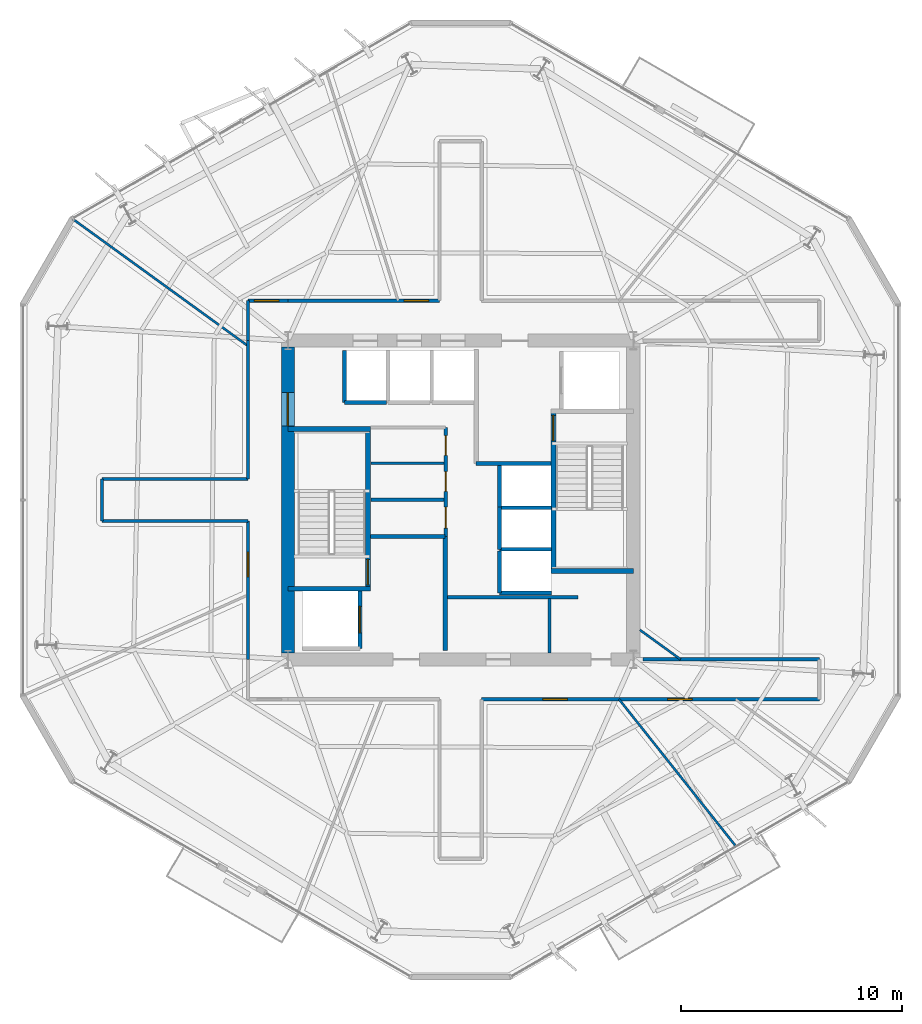
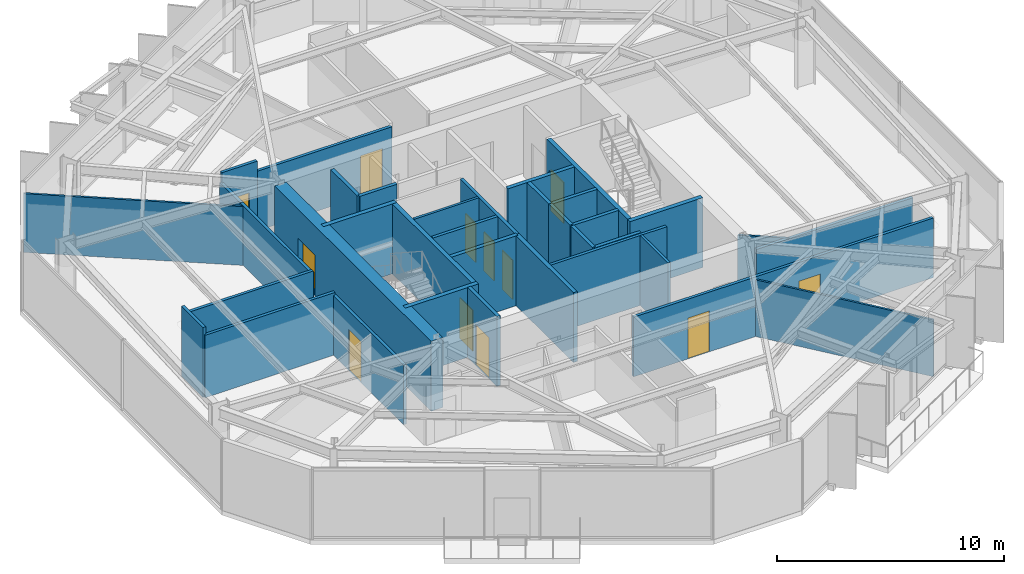
# One storey, part 7 of 11: 36 walls, 12 doors, 12 openings.
"""IFC4 building model written with IfcOpenShell, lengths in metres."""

from ifc_helpers import new_model, si_unit, direction, frame, frame_2d, origin, place, context, subcontext, project, spatial, rectangle, extrude, material, layer, layer_set, type_object, element, fill, save


model = new_model("IFC4")

# Units and contexts
model_context = context("Model", 3, precision=1e-05, world=origin(), true_north=direction((0.0, 1.0)))
body_context = subcontext(model_context, "Body", "Model", "MODEL_VIEW")
ifc_project = project(units=[si_unit("LENGTHUNIT", "METRE"), si_unit("AREAUNIT", "SQUARE_METRE"), si_unit("VOLUMEUNIT", "CUBIC_METRE"), si_unit("PLANEANGLEUNIT", "RADIAN"), si_unit("MASSUNIT", "GRAM", prefix="KILO")], contexts=[model_context])

# Site, building, storey
site_placement = place(None, origin())
site = spatial("IfcSite", under=ifc_project, at=site_placement, CompositionType="ELEMENT")
building_placement = place(site_placement, origin())
building = spatial("IfcBuilding", under=site, at=building_placement, Name="Kranzbogen Civic Tower", CompositionType="ELEMENT")
storey_placement = place(building_placement, frame((0.0, 0.0, 142.39990234375)))
storey = spatial("IfcBuildingStorey", under=building, at=storey_placement, Name="L34", CompositionType="ELEMENT", Elevation=142.39990234375)

# Wall
ifc_material_1 = material(Name="Double-Stud Acoustic Gypsum Partition")
ifc_layer_1 = layer(ifc_material_1, 0.14990234375, Name="Double-Stud Acoustic Gypsum Partition")
ifc_layer_set_1 = layer_set([ifc_layer_1], Name="Double-Stud Acoustic Gypsum Partition")
wall_type_1 = type_object("IfcWallType", Name="Acoustic Corridor and Clinical Partition 150 mm", PredefinedType="PARTITIONING", material=ifc_layer_set_1)
wall_1_placement = place(storey_placement, frame((24.39990234375, 20.610107421875, 0.0), z_axis=(0.0, 0.0, 1.0), x_axis=(1.0, 0.0, 0.0)))
element("IfcWall", 1, at=wall_1_placement, inside=storey, type_object=wall_type_1, Name="L34 records zone North wall", PredefinedType="PARTITIONING", context=body_context, shape_type="SweptSolid", body=[
    extrude(rectangle(XDim=5.900146484375, YDim=0.14990234375, at=frame_2d((2.9501953125, 0.0))), origin(), (0.0, 0.0, 1.0), 3.760009765625),
])

# Wall, opening, door
wall_2_placement = place(storey_placement, frame((15.39990234375, 17.800048828125, 0.0), z_axis=(0.0, 0.0, 1.0), x_axis=(0.0, 1.0, 0.0)))
wall_2 = element("IfcWall", 2, at=wall_2_placement, inside=storey, type_object=wall_type_1, Name="L34 corridor partition 03", PredefinedType="PARTITIONING", context=body_context, shape_type="SweptSolid", body=[
    extrude(rectangle(XDim=6.25, YDim=0.14990234375, at=frame_2d((3.125, 0.0))), origin(), (0.0, 0.0, 1.0), 3.210205078125),
])
opening_1_placement = place(wall_2_placement, frame((3.743896484375, 0.0, 0.0)))
opening_1 = element("IfcOpeningElement", 3, at=opening_1_placement, cuts=wall_2, Name="Opening D-COR60", PredefinedType="OPENING", context=body_context, shape_type="SweptSolid", body=[
    extrude(rectangle(XDim=1.10009765625, YDim=2.199951171875, at=frame_2d((0.550048828125, 1.10009765625))), frame((0.0, 0.0849609375, 0.0), z_axis=(0.0, -1.0, 0.0), x_axis=(1.0, 0.0, 0.0)), (0.0, 0.0, 1.0), 0.169921875),
])
ifc_material_2 = material(Name="Oak Timber and Fire Core", Category="wood")
door_type_1 = type_object("IfcDoorType", Name="Corridor Acoustic Fire Door 1100x2200", OperationType="NOTDEFINED", PredefinedType="DOOR", material=ifc_material_2)
door_1_placement = place(opening_1_placement, origin())
door_1 = element("IfcDoor", 4, at=door_1_placement, inside=storey, type_object=door_type_1, Name="L34 Ministerial Policy Office door", OperationType="SINGLE_SWING_RIGHT", OverallHeight=2.199951171875, OverallWidth=1.10009765625, PredefinedType="DOOR", context=body_context, shape_type="SweptSolid", body=[
    extrude(rectangle(XDim=1.10009765625, YDim=2.199951171875, at=frame_2d((0.550048828125, 1.10009765625))), frame((0.0, 0.02490234375, 0.0), z_axis=(0.0, -1.0, 0.0), x_axis=(1.0, 0.0, 0.0)), (0.0, 0.0, 1.0), 0.050048828125),
])
fill(opening_1, door_1)

# Walls
wall_3_placement = place(storey_placement, frame((15.39990234375, 24.050048828125, 0.0), z_axis=(0.0, 0.0, 1.0), x_axis=(-1.0, 0.0, 0.0)))
element("IfcWall", 5, at=wall_3_placement, inside=storey, type_object=wall_type_1, Name="L34 corridor partition 04", PredefinedType="PARTITIONING", context=body_context, shape_type="SweptSolid", body=[
    extrude(rectangle(XDim=6.599853515625, YDim=0.14990234375, at=frame_2d((3.2998046875, 0.0))), origin(), (0.0, 0.0, 1.0), 3.360107421875),
])
wall_4_placement = place(storey_placement, frame((8.800048828125, 24.050048828125, 0.0), z_axis=(0.0, 0.0, 1.0), x_axis=(0.0, 1.0, 0.0)))
element("IfcWall", 6, at=wall_4_placement, inside=storey, type_object=wall_type_1, Name="L34 corridor partition 05", PredefinedType="PARTITIONING", context=body_context, shape_type="SweptSolid", body=[
    extrude(rectangle(XDim=1.89990234375, YDim=0.14990234375, at=frame_2d((0.949951171875, 0.0))), origin(), (0.0, 0.0, 1.0), 3.760009765625),
])
wall_5_placement = place(storey_placement, frame((8.800048828125, 25.949951171875, 0.0), z_axis=(0.0, 0.0, 1.0), x_axis=(1.0, 0.0, 0.0)))
element("IfcWall", 7, at=wall_5_placement, inside=storey, type_object=wall_type_1, Name="L34 corridor partition 06", PredefinedType="PARTITIONING", context=body_context, shape_type="SweptSolid", body=[
    extrude(rectangle(XDim=6.599853515625, YDim=0.14990234375, at=frame_2d((3.2998046875, 0.0))), origin(), (0.0, 0.0, 1.0), 3.360107421875),
])
wall_6_placement = place(storey_placement, frame((15.39990234375, 25.949951171875, 0.0), z_axis=(0.0, 0.0, 1.0), x_axis=(0.0, 1.0, 0.0)))
element("IfcWall", 8, at=wall_6_placement, inside=storey, type_object=wall_type_1, Name="L34 corridor partition 07", PredefinedType="PARTITIONING", context=body_context, shape_type="SweptSolid", body=[
    extrude(rectangle(XDim=6.25, YDim=0.14990234375, at=frame_2d((3.125, 0.0))), origin(), (0.0, 0.0, 1.0), 3.210205078125),
])
wall_7_placement = place(storey_placement, frame((15.39990234375, 32.199951171875, 0.0), z_axis=(0.0, 0.0, 1.0), x_axis=(0.0, 1.0, 0.0)))
element("IfcWall", 9, at=wall_7_placement, inside=storey, type_object=wall_type_1, Name="L34 corridor partition 08", PredefinedType="PARTITIONING", context=body_context, shape_type="SweptSolid", body=[
    extrude(rectangle(XDim=1.800048828125, YDim=0.14990234375, at=frame_2d((0.89990234375, 0.0))), origin(), (0.0, 0.0, 1.0), 3.210205078125),
])

# Wall, opening, door
wall_8_placement = place(storey_placement, frame((15.39990234375, 34.0, 0.0), z_axis=(0.0, 0.0, 1.0), x_axis=(1.0, 0.0, 0.0)))
wall_8 = element("IfcWall", 10, at=wall_8_placement, inside=storey, type_object=wall_type_1, Name="L34 corridor partition 09", PredefinedType="PARTITIONING", context=body_context, shape_type="SweptSolid", body=[
    extrude(rectangle(XDim=1.800048828125, YDim=0.14990234375, at=frame_2d((0.89990234375, 0.0))), origin(), (0.0, 0.0, 1.0), 3.760009765625),
])
opening_2_placement = place(wall_8_placement, frame((0.287109375, 0.0, 0.0)))
opening_2 = element("IfcOpeningElement", 11, at=opening_2_placement, cuts=wall_8, Name="Opening D-COR60", PredefinedType="OPENING", context=body_context, shape_type="SweptSolid", body=[
    extrude(rectangle(XDim=1.10009765625, YDim=2.199951171875, at=frame_2d((0.550048828125, 1.10009765625))), frame((0.0, 0.0849609375, 0.0), z_axis=(0.0, -1.0, 0.0), x_axis=(1.0, 0.0, 0.0)), (0.0, 0.0, 1.0), 0.169921875),
])
door_2_placement = place(opening_2_placement, origin())
door_2 = element("IfcDoor", 12, at=door_2_placement, inside=storey, type_object=door_type_1, Name="L34 Duty Crew Control Room door", OperationType="SINGLE_SWING_LEFT", OverallHeight=2.199951171875, OverallWidth=1.10009765625, PredefinedType="DOOR", context=body_context, shape_type="SweptSolid", body=[
    extrude(rectangle(XDim=1.10009765625, YDim=2.199951171875, at=frame_2d((0.550048828125, 1.10009765625))), frame((0.0, 0.02490234375, 0.0), z_axis=(0.0, -1.0, 0.0), x_axis=(1.0, 0.0, 0.0)), (0.0, 0.0, 1.0), 0.050048828125),
])
fill(opening_2, door_2)

wall_9_placement = place(storey_placement, frame((17.199951171875, 34.0, 0.0), z_axis=(0.0, 0.0, 1.0), x_axis=(1.0, 0.0, 0.0)))
wall_9 = element("IfcWall", 13, at=wall_9_placement, inside=storey, type_object=wall_type_1, Name="L34 corridor partition 10", PredefinedType="PARTITIONING", context=body_context, shape_type="SweptSolid", body=[
    extrude(rectangle(XDim=6.85009765625, YDim=0.14990234375, at=frame_2d((3.425048828125, 0.0))), origin(), (0.0, 0.0, 1.0), 3.210205078125),
])
opening_3_placement = place(wall_9_placement, frame((5.2548828125, 0.0, 0.0)))
opening_3 = element("IfcOpeningElement", 14, at=opening_3_placement, cuts=wall_9, Name="Opening D-COR60", PredefinedType="OPENING", context=body_context, shape_type="SweptSolid", body=[
    extrude(rectangle(XDim=1.10009765625, YDim=2.199951171875, at=frame_2d((0.550048828125, 1.10009765625))), frame((0.0, 0.0849609375, 0.0), z_axis=(0.0, -1.0, 0.0), x_axis=(1.0, 0.0, 0.0)), (0.0, 0.0, 1.0), 0.169921875),
])
door_3_placement = place(opening_3_placement, origin())
door_3 = element("IfcDoor", 15, at=door_3_placement, inside=storey, type_object=door_type_1, Name="L34 Central Mail Post Room door", OperationType="SINGLE_SWING_RIGHT", OverallHeight=2.199951171875, OverallWidth=1.10009765625, PredefinedType="DOOR", context=body_context, shape_type="SweptSolid", body=[
    extrude(rectangle(XDim=1.10009765625, YDim=2.199951171875, at=frame_2d((0.550048828125, 1.10009765625))), frame((0.0, 0.02490234375, 0.0), z_axis=(0.0, -1.0, 0.0), x_axis=(1.0, 0.0, 0.0)), (0.0, 0.0, 1.0), 0.050048828125),
])
fill(opening_3, door_3)

# Wall
wall_10_placement = place(storey_placement, frame((33.2470703125, 17.800048828125, 0.0), z_axis=(0.0, 0.0, 1.0), x_axis=(1.0, 0.0, 0.0)))
element("IfcWall", 16, at=wall_10_placement, inside=storey, type_object=wall_type_1, Name="L34 corridor partition 17", PredefinedType="PARTITIONING", context=body_context, shape_type="SweptSolid", body=[
    extrude(rectangle(XDim=7.952880859375, YDim=0.14990234375, at=frame_2d((3.9765625, 0.0))), origin(), (0.0, 0.0, 1.0), 3.210205078125),
])

# Wall, openings, doors
wall_11_placement = place(storey_placement, frame((41.199951171875, 16.0, 0.0), z_axis=(0.0, 0.0, 1.0), x_axis=(-1.0, 0.0, 0.0)))
wall_11 = element("IfcWall", 17, at=wall_11_placement, inside=storey, type_object=wall_type_1, Name="L34 corridor partition 19", PredefinedType="PARTITIONING", context=body_context, shape_type="SweptSolid", body=[
    extrude(rectangle(XDim=15.25, YDim=0.14990234375, at=frame_2d((7.625, 0.0))), origin(), (0.0, 0.0, 1.0), 3.210205078125),
])
opening_4_placement = place(wall_11_placement, frame((11.3798828125, 0.0, 0.0)))
opening_4 = element("IfcOpeningElement", 18, at=opening_4_placement, cuts=wall_11, Name="Opening D-COR60", PredefinedType="OPENING", context=body_context, shape_type="SweptSolid", body=[
    extrude(rectangle(XDim=1.10009765625, YDim=2.199951171875, at=frame_2d((0.550048828125, 1.10009765625))), frame((0.0, 0.0849609375, 0.0), z_axis=(0.0, -1.0, 0.0), x_axis=(1.0, 0.0, 0.0)), (0.0, 0.0, 1.0), 0.169921875),
])
opening_5_placement = place(wall_11_placement, frame((5.7470703125, 0.0, 0.0)))
opening_5 = element("IfcOpeningElement", 19, at=opening_5_placement, cuts=wall_11, Name="Opening D-COR60", PredefinedType="OPENING", context=body_context, shape_type="SweptSolid", body=[
    extrude(rectangle(XDim=1.10009765625, YDim=2.199951171875, at=frame_2d((0.550048828125, 1.10009765625))), frame((0.0, 0.0849609375, 0.0), z_axis=(0.0, -1.0, 0.0), x_axis=(1.0, 0.0, 0.0)), (0.0, 0.0, 1.0), 0.169921875),
])
door_4_placement = place(opening_4_placement, origin())
door_4 = element("IfcDoor", 20, at=door_4_placement, inside=storey, type_object=door_type_1, Name="L34 Parliamentary Review Boardroom door", OperationType="SINGLE_SWING_LEFT", OverallHeight=2.199951171875, OverallWidth=1.10009765625, PredefinedType="DOOR", context=body_context, shape_type="SweptSolid", body=[
    extrude(rectangle(XDim=1.10009765625, YDim=2.199951171875, at=frame_2d((0.550048828125, 1.10009765625))), frame((0.0, 0.02490234375, 0.0), z_axis=(0.0, -1.0, 0.0), x_axis=(1.0, 0.0, 0.0)), (0.0, 0.0, 1.0), 0.050048828125),
])
fill(opening_4, door_4)
door_5_placement = place(opening_5_placement, origin())
door_5 = element("IfcDoor", 21, at=door_5_placement, inside=storey, type_object=door_type_1, Name="L34 Policy Seminar Room door", OperationType="SINGLE_SWING_RIGHT", OverallHeight=2.199951171875, OverallWidth=1.10009765625, PredefinedType="DOOR", context=body_context, shape_type="SweptSolid", body=[
    extrude(rectangle(XDim=1.10009765625, YDim=2.199951171875, at=frame_2d((0.550048828125, 1.10009765625))), frame((0.0, 0.02490234375, 0.0), z_axis=(0.0, -1.0, 0.0), x_axis=(1.0, 0.0, 0.0)), (0.0, 0.0, 1.0), 0.050048828125),
])
fill(opening_5, door_5)

# Walls
ifc_material_3 = material(Name="Insulated Metal-Stud Gypsum Partition")
ifc_layer_2 = layer(ifc_material_3, 0.125, Name="Insulated Metal-Stud Gypsum Partition")
ifc_layer_set_2 = layer_set([ifc_layer_2], Name="Insulated Metal-Stud Gypsum Partition")
wall_type_2 = type_object("IfcWallType", Name="Acoustic Inter-Room Partition 125 mm", PredefinedType="PARTITIONING", material=ifc_layer_set_2)
wall_12_placement = place(storey_placement, frame((29.010009765625, 18.10009765625, 0.0), z_axis=(0.0, 0.0, 1.0), x_axis=(0.0, 1.0, 0.0)))
element("IfcWall", 22, at=wall_12_placement, inside=storey, type_object=wall_type_2, Name="L34 core auxiliary partition 1", PredefinedType="PARTITIONING", context=body_context, shape_type="SweptSolid", body=[
    extrude(rectangle(XDim=2.449951171875, YDim=0.125, at=frame_2d((1.22509765625, 0.0))), origin(), (0.0, 0.0, 1.0), 3.760009765625),
])
wall_13_placement = place(storey_placement, frame((20.949951171875, 26.659912109375, 0.0), z_axis=(0.0, 0.0, 1.0), x_axis=(1.0, 0.0, 0.0)))
element("IfcWall", 23, at=wall_13_placement, inside=storey, type_object=wall_type_2, Name="L34 core auxiliary partition 3", PredefinedType="PARTITIONING", context=body_context, shape_type="SweptSolid", body=[
    extrude(rectangle(XDim=3.300048828125, YDim=0.125, at=frame_2d((1.64990234375, 0.0))), origin(), (0.0, 0.0, 1.0), 3.760009765625),
])

# Wall, opening, door
ifc_material_4 = material(Name="Concrete C55/67", Category="concrete")
ifc_layer_3 = layer(ifc_material_4, 0.60009765625, Name="Concrete C55/67")
ifc_layer_set_3 = layer_set([ifc_layer_3], Name="Concrete C55/67")
wall_type_3 = type_object("IfcWallType", Name="Central Core Shear Wall 600 mm", PredefinedType="SHEAR", material=ifc_layer_set_3)
wall_14_placement = place(storey_placement, frame((17.199951171875, 31.89990234375, 0.0), z_axis=(0.0, 0.0, 1.0), x_axis=(0.0, -1.0, 0.0)))
wall_14 = element("IfcWall", 24, at=wall_14_placement, inside=storey, type_object=wall_type_3, Name="L34 central core West shear wall", PredefinedType="SHEAR", context=body_context, shape_type="SweptSolid", body=[
    extrude(rectangle(XDim=13.7998046875, YDim=0.60009765625, at=frame_2d((6.89990234375, 0.0))), origin(), (0.0, 0.0, 1.0), 3.760009765625),
])
opening_6_placement = place(wall_14_placement, frame((2.050048828125, 0.0, 0.0)))
opening_6 = element("IfcOpeningElement", 25, at=opening_6_placement, cuts=wall_14, Name="Opening D-DBL15", PredefinedType="OPENING", context=body_context, shape_type="SweptSolid", body=[
    extrude(rectangle(XDim=1.5, YDim=2.199951171875, at=frame_2d((0.75, 1.10009765625))), frame((0.0, 0.31005859375, 0.0), z_axis=(0.0, -1.0, 0.0), x_axis=(1.0, 0.0, 0.0)), (0.0, 0.0, 1.0), 0.6201171875),
])
ifc_material_5 = material(Name="Anodised Bronze and Glass", Category="glass")
door_type_2 = type_object("IfcDoorType", Name="Civic Lobby Double Door 1500x2200", OperationType="DOUBLE_DOOR_SINGLE_SWING", PredefinedType="DOOR", material=ifc_material_5)
door_6_placement = place(opening_6_placement, origin())
door_6 = element("IfcDoor", 26, at=door_6_placement, inside=storey, type_object=door_type_2, Name="L34 Central Lift Lobby West concourse door", OperationType="DOUBLE_DOOR_SINGLE_SWING", OverallHeight=2.199951171875, OverallWidth=1.5, PredefinedType="DOOR", context=body_context, shape_type="SweptSolid", body=[
    extrude(rectangle(XDim=1.5, YDim=2.199951171875, at=frame_2d((0.75, 1.10009765625))), frame((0.0, 0.02490234375, 0.0), z_axis=(0.0, -1.0, 0.0), x_axis=(1.0, 0.0, 0.0)), (0.0, 0.0, 1.0), 0.050048828125),
])
fill(opening_6, door_6)

ifc_material_6 = material(Name="Concrete C45/55", Category="concrete")
ifc_layer_4 = layer(ifc_material_6, 0.219970703125, Name="Concrete C45/55")
ifc_layer_set_4 = layer_set([ifc_layer_4], Name="Concrete C45/55")
wall_type_4 = type_object("IfcWallType", Name="Core Internal Stair Structural Wall 220 mm", PredefinedType="SOLIDWALL", material=ifc_layer_set_4)
wall_15_placement = place(storey_placement, frame((20.81005859375, 20.989990234375, 0.0), z_axis=(0.0, 0.0, 1.0), x_axis=(0.0, 1.0, 0.0)))
wall_15 = element("IfcWall", 27, at=wall_15_placement, inside=storey, type_object=wall_type_4, Name="L34 ST-T1 East structural stair wall", PredefinedType="SOLIDWALL", context=body_context, shape_type="SweptSolid", body=[
    extrude(rectangle(XDim=7.219970703125, YDim=0.219970703125, at=frame_2d((3.60986328125, 0.0))), origin(), (0.0, 0.0, 1.0), 3.760009765625),
])
opening_7_placement = place(wall_15_placement, frame((0.179931640625, 0.0, 0.0)))
opening_7 = element("IfcOpeningElement", 28, at=opening_7_placement, cuts=wall_15, Name="Opening D-ST90", PredefinedType="OPENING", context=body_context, shape_type="SweptSolid", body=[
    extrude(rectangle(XDim=1.14990234375, YDim=2.199951171875, at=frame_2d((0.574951171875, 1.10009765625))), frame((0.0, 0.1201171875, 0.0), z_axis=(0.0, -1.0, 0.0), x_axis=(1.0, 0.0, 0.0)), (0.0, 0.0, 1.0), 0.239990234375),
])
ifc_material_7 = material(Name="Steel S355", Category="steel")
door_type_3 = type_object("IfcDoorType", Name="Pressurized Stair and Lobby Fire Door 1150x2200", OperationType="NOTDEFINED", PredefinedType="DOOR", material=ifc_material_7)
door_7_placement = place(opening_7_placement, origin())
door_7 = element("IfcDoor", 29, at=door_7_placement, inside=storey, type_object=door_type_3, Name="L34 Stair ST-T1 fire door", OperationType="SINGLE_SWING_LEFT", OverallHeight=2.199951171875, OverallWidth=1.14990234375, PredefinedType="DOOR", context=body_context, shape_type="SweptSolid", body=[
    extrude(rectangle(XDim=1.14990234375, YDim=2.199951171875, at=frame_2d((0.574951171875, 1.10009765625))), frame((0.0, 0.02490234375, 0.0), z_axis=(0.0, -1.0, 0.0), x_axis=(1.0, 0.0, 0.0)), (0.0, 0.0, 1.0), 0.050048828125),
])
fill(opening_7, door_7)

# Walls
for number, where, z_axis, x_axis, name in (
    (30, (17.199951171875, 20.989990234375, 0.0), (0.0, 0.0, 1.0), (1.0, 0.0, 0.0), "L34 ST-T1 South structural stair wall"),
    (31, (17.199951171875, 28.2099609375, 0.0), (0.0, 0.0, 1.0), (1.0, 0.0, 0.0), "L34 ST-T1 North structural stair wall"),
):
    element("IfcWall", number, at=place(storey_placement, frame(where, z_axis=z_axis, x_axis=x_axis)), inside=storey, type_object=wall_type_4, Name=name, PredefinedType="SOLIDWALL", context=body_context, shape_type="SweptSolid", body=[
        extrude(rectangle(XDim=3.719970703125, YDim=0.219970703125, at=frame_2d((1.85986328125, 0.0))), origin(), (0.0, 0.0, 1.0), 3.760009765625),
    ])

# Wall, opening, door
wall_16_placement = place(storey_placement, frame((29.18994140625, 21.7900390625, 0.0), z_axis=(0.0, 0.0, 1.0), x_axis=(0.0, 1.0, 0.0)))
wall_16 = element("IfcWall", 32, at=wall_16_placement, inside=storey, type_object=wall_type_4, Name="L34 ST-T2 West structural stair wall", PredefinedType="SOLIDWALL", context=body_context, shape_type="SweptSolid", body=[
    extrude(rectangle(XDim=7.219970703125, YDim=0.219970703125, at=frame_2d((3.60986328125, 0.0))), origin(), (0.0, 0.0, 1.0), 3.760009765625),
])
opening_8_placement = place(wall_16_placement, frame((5.8798828125, 0.0, 0.0)))
opening_8 = element("IfcOpeningElement", 33, at=opening_8_placement, cuts=wall_16, Name="Opening D-ST90", PredefinedType="OPENING", context=body_context, shape_type="SweptSolid", body=[
    extrude(rectangle(XDim=1.14990234375, YDim=2.199951171875, at=frame_2d((0.574951171875, 1.10009765625))), frame((0.0, 0.1201171875, 0.0), z_axis=(0.0, -1.0, 0.0), x_axis=(1.0, 0.0, 0.0)), (0.0, 0.0, 1.0), 0.239990234375),
])
door_8_placement = place(opening_8_placement, origin())
door_8 = element("IfcDoor", 34, at=door_8_placement, inside=storey, type_object=door_type_3, Name="L34 Stair ST-T2 fire door", OperationType="SINGLE_SWING_RIGHT", OverallHeight=2.199951171875, OverallWidth=1.14990234375, PredefinedType="DOOR", context=body_context, shape_type="SweptSolid", body=[
    extrude(rectangle(XDim=1.14990234375, YDim=2.199951171875, at=frame_2d((0.574951171875, 1.10009765625))), frame((0.0, 0.02490234375, 0.0), z_axis=(0.0, -1.0, 0.0), x_axis=(1.0, 0.0, 0.0)), (0.0, 0.0, 1.0), 0.050048828125),
])
fill(opening_8, door_8)

# Walls
wall_17_placement = place(storey_placement, frame((29.080078125, 21.7900390625, 0.0), z_axis=(0.0, 0.0, 1.0), x_axis=(1.0, 0.0, 0.0)))
element("IfcWall", 35, at=wall_17_placement, inside=storey, type_object=wall_type_4, Name="L34 ST-T2 South structural stair wall", PredefinedType="SOLIDWALL", context=body_context, shape_type="SweptSolid", body=[
    extrude(rectangle(XDim=3.719970703125, YDim=0.219970703125, at=frame_2d((1.85986328125, 0.0))), origin(), (0.0, 0.0, 1.0), 3.760009765625),
])
ifc_material_8 = material(Name="Demountable Aluminium and Gypsum Partition", Category="aluminium")
ifc_layer_5 = layer(ifc_material_8, 0.10009765625, Name="Demountable Aluminium and Gypsum Partition")
ifc_layer_set_5 = layer_set([ifc_layer_5], Name="Demountable Aluminium and Gypsum Partition")
wall_type_5 = type_object("IfcWallType", Name="Demountable Office Partition 100 mm", PredefinedType="MOVABLE", material=ifc_layer_set_5)
wall_18_placement = place(storey_placement, frame((15.39990234375, 31.9560546875, 0.0), z_axis=(0.0, 0.0, 1.0), x_axis=(-0.809787137788, 0.586723777832, 0.0)))
element("IfcWall", 36, at=wall_18_placement, inside=storey, type_object=wall_type_5, Name="L34 radial room partition 03", PredefinedType="MOVABLE", context=body_context, shape_type="SweptSolid", body=[
    extrude(rectangle(XDim=9.781494140625, YDim=0.10009765625, at=frame_2d((4.890625, 0.0))), origin(), (0.0, 0.0, 1.0), 3.16015625),
])
wall_19_placement = place(storey_placement, frame((32.156005859375, 16.0, 0.0), z_axis=(0.0, 0.0, 1.0), x_axis=(0.622366778273, -0.782725745905, 0.0)))
element("IfcWall", 37, at=wall_19_placement, inside=storey, type_object=wall_type_5, Name="L34 radial room partition 06", PredefinedType="MOVABLE", context=body_context, shape_type="SweptSolid", body=[
    extrude(rectangle(XDim=8.4755859375, YDim=0.10009765625, at=frame_2d((4.23779296875, 0.0))), origin(), (0.0, 0.0, 1.0), 3.050048828125),
])
wall_20_placement = place(storey_placement, frame((33.10009765625, 19.131103515625, 0.0), z_axis=(0.0, 0.0, 1.0), x_axis=(0.809758735958, -0.586762975604, 0.0)))
element("IfcWall", 38, at=wall_20_placement, inside=storey, type_object=wall_type_5, Name="L34 radial room partition 07", PredefinedType="MOVABLE", context=body_context, shape_type="SweptSolid", body=[
    extrude(rectangle(XDim=2.2685546875, YDim=0.10009765625, at=frame_2d((1.13427734375, 0.0))), origin(), (0.0, 0.0, 1.0), 3.210205078125),
])
ifc_material_9 = material(Name="Gypsum Fireboard and Concrete Block", Category="concrete")
ifc_layer_6 = layer(ifc_material_9, 0.199951171875, Name="Gypsum Fireboard and Concrete Block")
ifc_layer_set_6 = layer_set([ifc_layer_6], Name="Gypsum Fireboard and Concrete Block")
wall_type_6 = type_object("IfcWallType", Name="Fire-Rated Exit Passageway and Stair Wall 200 mm", PredefinedType="PARTITIONING", material=ifc_layer_set_6)
wall_21_placement = place(storey_placement, frame((24.300048828125, 18.199951171875, 0.0), z_axis=(0.0, 0.0, 1.0), x_axis=(0.0, 1.0, 0.0)))
element("IfcWall", 39, at=wall_21_placement, inside=storey, type_object=wall_type_6, Name="L34 West firefighting lobby East wall", PredefinedType="PARTITIONING", context=body_context, shape_type="SweptSolid", body=[
    extrude(rectangle(XDim=5.150146484375, YDim=0.199951171875, at=frame_2d((2.5751953125, 0.0))), origin(), (0.0, 0.0, 1.0), 3.760009765625),
])
for number, where, z_axis, x_axis, name in (
    (40, (20.919921875, 23.35009765625, 0.0), (0.0, 0.0, 1.0), (1.0, 0.0, 0.0), "L34 West firefighting lobby North wall"),
    (41, (25.699951171875, 26.64990234375, 0.0), (0.0, 0.0, 1.0), (1.0, 0.0, 0.0), "L34 East firefighting lobby South wall"),
):
    element("IfcWall", number, at=place(storey_placement, frame(where, z_axis=z_axis, x_axis=x_axis)), inside=storey, type_object=wall_type_6, Name=name, PredefinedType="PARTITIONING", context=body_context, shape_type="SweptSolid", body=[
        extrude(rectangle(XDim=3.380126953125, YDim=0.199951171875, at=frame_2d((1.68994140625, 0.0))), origin(), (0.0, 0.0, 1.0), 3.760009765625),
    ])
ifc_material_10 = material(Name="Gypsum Fireboard Shaftliner")
ifc_layer_7 = layer(ifc_material_10, 0.175048828125, Name="Gypsum Fireboard Shaftliner")
ifc_layer_set_7 = layer_set([ifc_layer_7], Name="Gypsum Fireboard Shaftliner")
wall_type_7 = type_object("IfcWallType", Name="Fire-Rated Lift and Service Shaft Wall 175 mm", PredefinedType="PARTITIONING", material=ifc_layer_set_7)
wall_22_placement = place(storey_placement, frame((19.75, 29.39990234375, 0.0), z_axis=(0.0, 0.0, 1.0), x_axis=(1.0, 0.0, 0.0)))
element("IfcWall", 42, at=wall_22_placement, inside=storey, type_object=wall_type_7, Name="L34 lift MP-01 rear wall", PredefinedType="PARTITIONING", context=body_context, shape_type="SweptSolid", body=[
    extrude(rectangle(XDim=1.89990234375, YDim=0.175048828125, at=frame_2d((0.949951171875, 0.0))), origin(), (0.0, 0.0, 1.0), 3.760009765625),
])
wall_23_placement = place(storey_placement, frame((19.75, 29.39990234375, 0.0), z_axis=(0.0, 0.0, 1.0), x_axis=(0.0, 1.0, 0.0)))
element("IfcWall", 43, at=wall_23_placement, inside=storey, type_object=wall_type_7, Name="L34 lift MP-01 side wall", PredefinedType="PARTITIONING", context=body_context, shape_type="SweptSolid", body=[
    extrude(rectangle(XDim=2.35009765625, YDim=0.175048828125, at=frame_2d((1.175048828125, 0.0))), origin(), (0.0, 0.0, 1.0), 3.760009765625),
])
wall_24_placement = place(storey_placement, frame((26.75, 20.800048828125, 0.0), z_axis=(0.0, 0.0, 1.0), x_axis=(0.0, 1.0, 0.0)))
element("IfcWall", 44, at=wall_24_placement, inside=storey, type_object=wall_type_7, Name="L34 lift HP-01 landing wall", PredefinedType="PARTITIONING", context=body_context, shape_type="SweptSolid", body=[
    extrude(rectangle(XDim=1.89990234375, YDim=0.175048828125, at=frame_2d((0.949951171875, 0.0))), origin(), (0.0, 0.0, 1.0), 3.760009765625),
])
wall_25_placement = place(storey_placement, frame((26.75, 20.800048828125, 0.0), z_axis=(0.0, 0.0, 1.0), x_axis=(1.0, 0.0, 0.0)))
element("IfcWall", 45, at=wall_25_placement, inside=storey, type_object=wall_type_7, Name="L34 lift HP-01 side wall", PredefinedType="PARTITIONING", context=body_context, shape_type="SweptSolid", body=[
    extrude(rectangle(XDim=2.35009765625, YDim=0.175048828125, at=frame_2d((1.175048828125, 0.0))), origin(), (0.0, 0.0, 1.0), 3.760009765625),
])
wall_26_placement = place(storey_placement, frame((26.75, 22.77490234375, 0.0), z_axis=(0.0, 0.0, 1.0), x_axis=(0.0, 1.0, 0.0)))
element("IfcWall", 46, at=wall_26_placement, inside=storey, type_object=wall_type_7, Name="L34 lift HP-02 landing wall", PredefinedType="PARTITIONING", context=body_context, shape_type="SweptSolid", body=[
    extrude(rectangle(XDim=1.900146484375, YDim=0.175048828125, at=frame_2d((0.9501953125, 0.0))), origin(), (0.0, 0.0, 1.0), 3.760009765625),
])
wall_27_placement = place(storey_placement, frame((26.75, 22.77490234375, 0.0), z_axis=(0.0, 0.0, 1.0), x_axis=(1.0, 0.0, 0.0)))
element("IfcWall", 47, at=wall_27_placement, inside=storey, type_object=wall_type_7, Name="L34 lift HP-02 side wall", PredefinedType="PARTITIONING", context=body_context, shape_type="SweptSolid", body=[
    extrude(rectangle(XDim=2.35009765625, YDim=0.175048828125, at=frame_2d((1.175048828125, 0.0))), origin(), (0.0, 0.0, 1.0), 3.760009765625),
])
wall_28_placement = place(storey_placement, frame((26.75, 24.64990234375, 0.0), z_axis=(0.0, 0.0, 1.0), x_axis=(0.0, 1.0, 0.0)))
element("IfcWall", 48, at=wall_28_placement, inside=storey, type_object=wall_type_7, Name="L34 lift HP-03 landing wall", PredefinedType="PARTITIONING", context=body_context, shape_type="SweptSolid", body=[
    extrude(rectangle(XDim=1.900146484375, YDim=0.175048828125, at=frame_2d((0.9501953125, 0.0))), origin(), (0.0, 0.0, 1.0), 3.760009765625),
])
wall_29_placement = place(storey_placement, frame((26.75, 24.64990234375, 0.0), z_axis=(0.0, 0.0, 1.0), x_axis=(1.0, 0.0, 0.0)))
element("IfcWall", 49, at=wall_29_placement, inside=storey, type_object=wall_type_7, Name="L34 lift HP-03 side wall", PredefinedType="PARTITIONING", context=body_context, shape_type="SweptSolid", body=[
    extrude(rectangle(XDim=2.35009765625, YDim=0.175048828125, at=frame_2d((1.175048828125, 0.0))), origin(), (0.0, 0.0, 1.0), 3.760009765625),
])

# Wall, opening, door
wall_30_placement = place(storey_placement, frame((20.449951171875, 18.300048828125, 0.0), z_axis=(0.0, 0.0, 1.0), x_axis=(0.0, 1.0, 0.0)))
wall_30 = element("IfcWall", 50, at=wall_30_placement, inside=storey, type_object=wall_type_7, Name="L34 lift FF-01 landing wall", PredefinedType="PARTITIONING", context=body_context, shape_type="SweptSolid", body=[
    extrude(rectangle(XDim=2.599853515625, YDim=0.175048828125, at=frame_2d((1.2998046875, 0.0))), origin(), (0.0, 0.0, 1.0), 3.760009765625),
])
opening_9_placement = place(wall_30_placement, frame((0.699951171875, 0.0, 0.0)))
opening_9 = element("IfcOpeningElement", 51, at=opening_9_placement, cuts=wall_30, Name="Opening LD-FF-01", PredefinedType="OPENING", context=body_context, shape_type="SweptSolid", body=[
    extrude(rectangle(XDim=1.199951171875, YDim=2.199951171875, at=frame_2d((0.60009765625, 1.10009765625))), frame((0.0, 0.09765625, 0.0), z_axis=(0.0, -1.0, 0.0), x_axis=(1.0, 0.0, 0.0)), (0.0, 0.0, 1.0), 0.195068359375),
])
ifc_material_11 = material(Name="Pale Anodised Aluminium", Category="aluminium")
door_type_4 = type_object("IfcDoorType", Name="Firefighting and Stretcher Lift Sliding Landing Door 1200x2200", OperationType="DOUBLE_DOOR_SLIDING", PredefinedType="DOOR", material=ifc_material_11)
door_9_placement = place(opening_9_placement, origin())
door_9 = element("IfcDoor", 52, at=door_9_placement, inside=storey, type_object=door_type_4, Name="L34 lift FF-01 sliding landing door", OperationType="DOUBLE_DOOR_SLIDING", OverallHeight=2.199951171875, OverallWidth=1.199951171875, PredefinedType="DOOR", context=body_context, shape_type="SweptSolid", body=[
    extrude(rectangle(XDim=1.199951171875, YDim=2.199951171875, at=frame_2d((0.60009765625, 1.10009765625))), frame((0.0, 0.02490234375, 0.0), z_axis=(0.0, -1.0, 0.0), x_axis=(1.0, 0.0, 0.0)), (0.0, 0.0, 1.0), 0.050048828125),
])
fill(opening_9, door_9)

# Wall, openings, doors
ifc_material_12 = material(Name="Moisture-Resistant Gypsum Assembly")
ifc_layer_8 = layer(ifc_material_12, 0.159912109375, Name="Moisture-Resistant Gypsum Assembly")
ifc_layer_set_8 = layer_set([ifc_layer_8], Name="Moisture-Resistant Gypsum Assembly")
wall_type_8 = type_object("IfcWallType", Name="Sanitary and Plumbing Wet Wall 160 mm", PredefinedType="PLUMBINGWALL", material=ifc_layer_set_8)
wall_31_placement = place(storey_placement, frame((24.324951171875, 23.35009765625, 0.0), z_axis=(0.0, 0.0, 1.0), x_axis=(0.0, 1.0, 0.0)))
wall_31 = element("IfcWall", 53, at=wall_31_placement, inside=storey, type_object=wall_type_8, Name="L34 core auxiliary East wall", PredefinedType="PLUMBINGWALL", context=body_context, shape_type="SweptSolid", body=[
    extrude(rectangle(XDim=4.929931640625, YDim=0.159912109375, at=frame_2d((2.46484375, 0.0))), origin(), (0.0, 0.0, 1.0), 3.760009765625),
])
opening_10_placement = place(wall_31_placement, frame((0.375, 0.0, 0.0)))
opening_10 = element("IfcOpeningElement", 54, at=opening_10_placement, cuts=wall_31, Name="Opening D-AWC95", PredefinedType="OPENING", context=body_context, shape_type="SweptSolid", body=[
    extrude(rectangle(XDim=0.949951171875, YDim=2.10009765625, at=frame_2d((0.47509765625, 1.050048828125))), frame((0.0, 0.08984375, 0.0), z_axis=(0.0, -1.0, 0.0), x_axis=(1.0, 0.0, 0.0)), (0.0, 0.0, 1.0), 0.179931640625),
])
opening_11_placement = place(wall_31_placement, frame((2.034912109375, 0.0, 0.0)))
opening_11 = element("IfcOpeningElement", 55, at=opening_11_placement, cuts=wall_31, Name="Opening D-WC90", PredefinedType="OPENING", context=body_context, shape_type="SweptSolid", body=[
    extrude(rectangle(XDim=0.89990234375, YDim=2.10009765625, at=frame_2d((0.449951171875, 1.050048828125))), frame((0.0, 0.08984375, 0.0), z_axis=(0.0, -1.0, 0.0), x_axis=(1.0, 0.0, 0.0)), (0.0, 0.0, 1.0), 0.179931640625),
])
opening_12_placement = place(wall_31_placement, frame((3.659912109375, 0.0, 0.0)))
opening_12 = element("IfcOpeningElement", 56, at=opening_12_placement, cuts=wall_31, Name="Opening D-WC90", PredefinedType="OPENING", context=body_context, shape_type="SweptSolid", body=[
    extrude(rectangle(XDim=0.89990234375, YDim=2.10009765625, at=frame_2d((0.449951171875, 1.050048828125))), frame((0.0, 0.08984375, 0.0), z_axis=(0.0, -1.0, 0.0), x_axis=(1.0, 0.0, 0.0)), (0.0, 0.0, 1.0), 0.179931640625),
])
ifc_material_13 = material(Name="Moisture-Resistant Laminate")
door_type_5 = type_object("IfcDoorType", Name="Accessible Restroom Door 950x2100", OperationType="NOTDEFINED", PredefinedType="DOOR", material=ifc_material_13)
door_10_placement = place(opening_10_placement, origin())
door_10 = element("IfcDoor", 57, at=door_10_placement, inside=storey, type_object=door_type_5, Name="L34 Accessible Restroom door", OperationType="SINGLE_SWING_LEFT", OverallHeight=2.10009765625, OverallWidth=0.949951171875, PredefinedType="DOOR", context=body_context, shape_type="SweptSolid", body=[
    extrude(rectangle(XDim=0.949951171875, YDim=2.10009765625, at=frame_2d((0.47509765625, 1.050048828125))), frame((0.0, 0.02490234375, 0.0), z_axis=(0.0, -1.0, 0.0), x_axis=(1.0, 0.0, 0.0)), (0.0, 0.0, 1.0), 0.050048828125),
])
fill(opening_10, door_10)
door_type_6 = type_object("IfcDoorType", Name="Standard Restroom and Store Door 900x2100", OperationType="NOTDEFINED", PredefinedType="DOOR", material=ifc_material_13)
door_11_placement = place(opening_11_placement, origin())
door_11 = element("IfcDoor", 58, at=door_11_placement, inside=storey, type_object=door_type_6, Name="L34 Staff Restroom door", OperationType="SINGLE_SWING_RIGHT", OverallHeight=2.10009765625, OverallWidth=0.89990234375, PredefinedType="DOOR", context=body_context, shape_type="SweptSolid", body=[
    extrude(rectangle(XDim=0.89990234375, YDim=2.10009765625, at=frame_2d((0.449951171875, 1.050048828125))), frame((0.0, 0.02490234375, 0.0), z_axis=(0.0, -1.0, 0.0), x_axis=(1.0, 0.0, 0.0)), (0.0, 0.0, 1.0), 0.050048828125),
])
fill(opening_11, door_11)
door_12_placement = place(opening_12_placement, origin())
door_12 = element("IfcDoor", 59, at=door_12_placement, inside=storey, type_object=door_type_6, Name="L34 Cleaner and Janitor Store door", OperationType="SINGLE_SWING_LEFT", OverallHeight=2.10009765625, OverallWidth=0.89990234375, PredefinedType="DOOR", context=body_context, shape_type="SweptSolid", body=[
    extrude(rectangle(XDim=0.89990234375, YDim=2.10009765625, at=frame_2d((0.449951171875, 1.050048828125))), frame((0.0, 0.02490234375, 0.0), z_axis=(0.0, -1.0, 0.0), x_axis=(1.0, 0.0, 0.0)), (0.0, 0.0, 1.0), 0.050048828125),
])
fill(opening_12, door_12)

# Wall
wall_32_placement = place(storey_placement, frame((20.949951171875, 25.010009765625, 0.0), z_axis=(0.0, 0.0, 1.0), x_axis=(1.0, 0.0, 0.0)))
element("IfcWall", 60, at=wall_32_placement, inside=storey, type_object=wall_type_8, Name="L34 core auxiliary partition 2", PredefinedType="PLUMBINGWALL", context=body_context, shape_type="SweptSolid", body=[
    extrude(rectangle(XDim=3.300048828125, YDim=0.159912109375, at=frame_2d((1.64990234375, 0.0))), origin(), (0.0, 0.0, 1.0), 3.760009765625),
])

save(model, "model.ifc")
